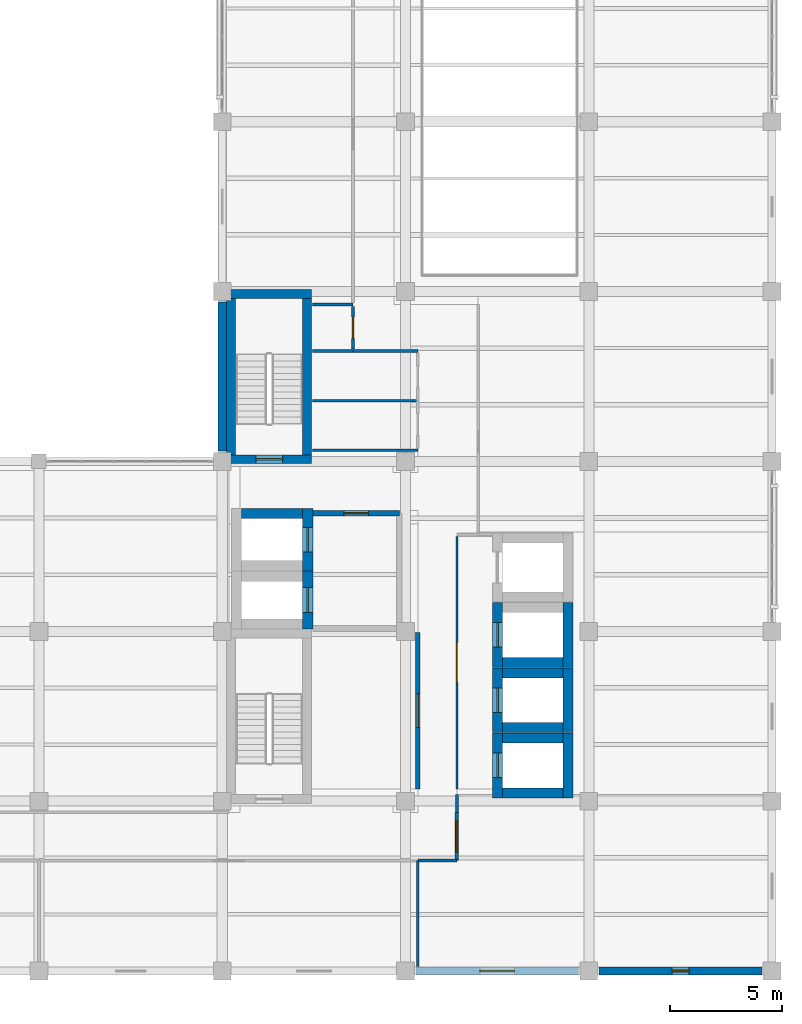
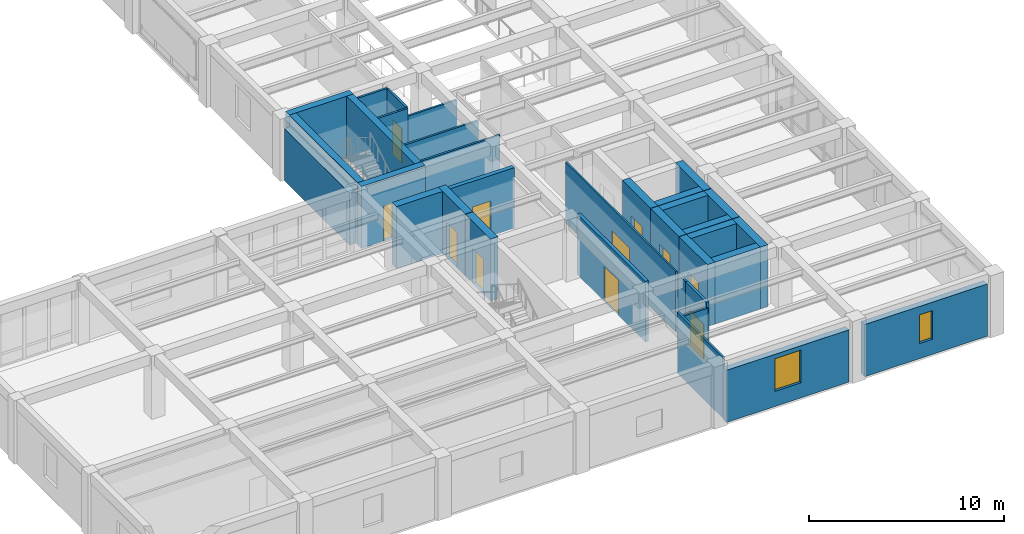
# One storey, part 8 of 15: 34 walls, 11 doors, 2 windows, 13 openings.
"""IFC4 building model written with IfcOpenShell, lengths in metres."""

from ifc_helpers import new_model, si_unit, direction, frame, frame_2d, origin, place, context, subcontext, project, spatial, rectangle, extrude, material, layer, layer_set, type_object, element, fill, save


model = new_model("IFC4")

# Units and contexts
model_context = context("Model", 3, precision=1e-05, world=origin(), true_north=direction((0.0, 1.0)))
body_context = subcontext(model_context, "Body", "Model", "MODEL_VIEW")
ifc_project = project(units=[si_unit("LENGTHUNIT", "METRE"), si_unit("AREAUNIT", "SQUARE_METRE"), si_unit("VOLUMEUNIT", "CUBIC_METRE"), si_unit("PLANEANGLEUNIT", "RADIAN"), si_unit("MASSUNIT", "GRAM", prefix="KILO")], contexts=[model_context])

# Site, building, storey
site_placement = place(None, origin())
site = spatial("IfcSite", under=ifc_project, at=site_placement, CompositionType="ELEMENT")
building_placement = place(site_placement, origin())
building = spatial("IfcBuilding", under=site, at=building_placement, Name="Qandaris Square Conservatory and Botanical Centre", CompositionType="ELEMENT")
storey_placement = place(building_placement, frame((0.0, 0.0, 32.39990234375)))
storey = spatial("IfcBuildingStorey", under=building, at=storey_placement, Name="L07", CompositionType="ELEMENT", Elevation=32.39990234375)

# Wall, opening, door
ifc_material_1 = material(Name="Gypsum Plasterboard", Category="gypsum")
ifc_layer_1 = layer(ifc_material_1, 0.14990234375)
ifc_layer_set_1 = layer_set([ifc_layer_1], Name="Gypsum Plasterboard")
wall_type_1 = type_object("IfcWallType", Name="Acoustic Laboratory Partition 150mm", PredefinedType="PARTITIONING", material=ifc_layer_set_1)
wall_1_placement = place(storey_placement, frame((149.699951171875, 23.699951171875, 0.0), z_axis=(0.0, 0.0, 1.0), x_axis=(0.0, -1.0, 0.0)))
wall_1 = element("IfcWall", 1, at=wall_1_placement, inside=storey, type_object=wall_type_1, Name="Interior Partition IW-L07-0279", PredefinedType="PARTITIONING", context=body_context, shape_type="SweptSolid", body=[
    extrude(rectangle(XDim=2.14990234375, YDim=0.14990234375, at=frame_2d((1.074951171875, 0.0))), origin(), (0.0, 0.0, 1.0), 3.80517578125),
])
opening_1_placement = place(wall_1_placement, frame((0.375, 0.0, 0.0)))
opening_1 = element("IfcOpeningElement", 2, at=opening_1_placement, cuts=wall_1, Name="Opening D-LAB1", PredefinedType="OPENING", context=body_context, shape_type="SweptSolid", body=[
    extrude(rectangle(XDim=1.39990234375, YDim=2.199951171875, at=frame_2d((0.699951171875, 1.10009765625))), frame((0.0, 0.0869140625, 0.0), z_axis=(0.0, -1.0, 0.0), x_axis=(1.0, 0.0, 0.0)), (0.0, 0.0, 1.0), 0.173828125),
])
ifc_material_2 = material(Name="Engineered Oak Timber", Category="wood")
door_type_1 = type_object("IfcDoorType", Name="Research Laboratory Leaf-and-Half Door 1400x2200", OperationType="DOUBLE_DOOR_SINGLE_SWING", PredefinedType="DOOR", material=ifc_material_2)
door_1_placement = place(opening_1_placement, frame((1.39990234375, 0.0, 0.0), z_axis=(0.0, 0.0, 1.0), x_axis=(-1.0, 0.0, 0.0)))
door_1 = element("IfcDoor", 3, at=door_1_placement, inside=storey, type_object=door_type_1, Name="DR-0249 Floor L07 Instrument and Balance Room Door", OperationType="DOUBLE_DOOR_SINGLE_SWING", OverallHeight=2.199951171875, OverallWidth=1.39990234375, PredefinedType="DOOR", context=body_context, shape_type="SweptSolid", body=[
    extrude(rectangle(XDim=1.39990234375, YDim=2.199951171875, at=frame_2d((0.699951171875, 1.10009765625))), frame((0.0, 0.02490234375, 0.0), z_axis=(0.0, -1.0, 0.0), x_axis=(1.0, 0.0, 0.0)), (0.0, 0.0, 1.0), 0.050048828125),
])
fill(opening_1, door_1)

# Wall, opening, window
ifc_material_3 = material(Name="Precast concrete C40/50", Category="concrete")
ifc_layer_2 = layer(ifc_material_3, 0.360107421875)
ifc_layer_set_2 = layer_set([ifc_layer_2], Name="Precast concrete C40/50")
wall_type_2 = type_object("IfcWallType", Name="Architectural Precast Cladding Wall 360mm", PredefinedType="SOLIDWALL", material=ifc_layer_set_2)
wall_2_placement = place(storey_placement, frame((147.860107421875, 16.60009765625, 0.0), z_axis=(0.0, 0.0, 1.0), x_axis=(1.0, 0.0, 0.0)))
wall_2 = element("IfcWall", 4, at=wall_2_placement, inside=storey, type_object=wall_type_2, Name="Exterior Wall EW-TWR-L07-1-5", PredefinedType="SOLIDWALL", context=body_context, shape_type="SweptSolid", body=[
    extrude(rectangle(XDim=7.27978515625, YDim=0.360107421875, at=frame_2d((3.639892578125, 0.0))), origin(), (0.0, 0.0, 1.0), 3.275146484375),
])
opening_2_placement = place(wall_2_placement, frame((2.864990234375, 0.0, 0.949951171875)))
opening_2 = element("IfcOpeningElement", 5, at=opening_2_placement, cuts=wall_2, Name="Opening WN-28", PredefinedType="OPENING", context=body_context, shape_type="SweptSolid", body=[
    extrude(rectangle(XDim=1.550048828125, YDim=2.050048828125, at=frame_2d((0.77490234375, 1.02490234375))), frame((0.0, 0.19189453125, 0.0), z_axis=(0.0, -1.0, 0.0), x_axis=(1.0, 0.0, 0.0)), (0.0, 0.0, 1.0), 0.384033203125),
])
ifc_material_4 = material(Name="Tempered Low-E Glass", Category="glass")
window_type_1 = type_object("IfcWindowType", Name="Solar Control Window 1550x2050", PartitioningType="DOUBLE_PANEL_VERTICAL", PredefinedType="WINDOW", material=ifc_material_4)
window_1_placement = place(opening_2_placement, origin())
window_1 = element("IfcWindow", 6, at=window_1_placement, inside=storey, type_object=window_type_1, Name="Window EW-TWR-L07-1-5", OverallHeight=2.050048828125, OverallWidth=1.550048828125, PartitioningType="DOUBLE_PANEL_VERTICAL", PredefinedType="WINDOW", context=body_context, shape_type="SweptSolid", body=[
    extrude(rectangle(XDim=1.550048828125, YDim=2.050048828125, at=frame_2d((0.77490234375, 1.02490234375))), frame((0.0, 0.030029296875, 0.0), z_axis=(0.0, -1.0, 0.0), x_axis=(1.0, 0.0, 0.0)), (0.0, 0.0, 1.0), 0.06005859375),
])
fill(opening_2, window_1)

wall_3_placement = place(storey_placement, frame((156.06005859375, 16.60009765625, 0.0), z_axis=(0.0, 0.0, 1.0), x_axis=(1.0, 0.0, 0.0)))
wall_3 = element("IfcWall", 7, at=wall_3_placement, inside=storey, type_object=wall_type_2, Name="Exterior Wall EW-TWR-L07-1-6", PredefinedType="SOLIDWALL", context=body_context, shape_type="SweptSolid", body=[
    extrude(rectangle(XDim=7.280029296875, YDim=0.360107421875, at=frame_2d((3.64013671875, 0.0))), origin(), (0.0, 0.0, 1.0), 3.275146484375),
])
opening_3_placement = place(wall_3_placement, frame((3.264892578125, 0.0, 0.949951171875)))
opening_3 = element("IfcOpeningElement", 8, at=opening_3_placement, cuts=wall_3, Name="Opening WN-03", PredefinedType="OPENING", context=body_context, shape_type="SweptSolid", body=[
    extrude(rectangle(XDim=0.75, YDim=1.800048828125, at=frame_2d((0.375, 0.89990234375))), frame((0.0, 0.19189453125, 0.0), z_axis=(0.0, -1.0, 0.0), x_axis=(1.0, 0.0, 0.0)), (0.0, 0.0, 1.0), 0.384033203125),
])
window_type_2 = type_object("IfcWindowType", Name="Herbarium UV-Filtered Slot Window 750x1800", PartitioningType="SINGLE_PANEL", PredefinedType="WINDOW", material=ifc_material_4)
window_2_placement = place(opening_3_placement, origin())
window_2 = element("IfcWindow", 9, at=window_2_placement, inside=storey, type_object=window_type_2, Name="Window EW-TWR-L07-1-6", OverallHeight=1.800048828125, OverallWidth=0.75, PartitioningType="SINGLE_PANEL", PredefinedType="WINDOW", context=body_context, shape_type="SweptSolid", body=[
    extrude(rectangle(XDim=0.75, YDim=1.800048828125, at=frame_2d((0.375, 0.89990234375))), frame((0.0, 0.030029296875, 0.0), z_axis=(0.0, -1.0, 0.0), x_axis=(1.0, 0.0, 0.0)), (0.0, 0.0, 1.0), 0.06005859375),
])
fill(opening_3, window_2)

# Wall
wall_4_placement = place(storey_placement, frame((139.199951171875, 46.5400390625, 0.0), z_axis=(0.0, 0.0, 1.0), x_axis=(0.0, -1.0, 0.0)))
element("IfcWall", 10, at=wall_4_placement, inside=storey, type_object=wall_type_2, Name="Exterior Wall EW-TWR-L07-4-5", PredefinedType="SOLIDWALL", context=body_context, shape_type="SweptSolid", body=[
    extrude(rectangle(XDim=6.679931640625, YDim=0.360107421875, at=frame_2d((3.33984375, 0.0))), origin(), (0.0, 0.0, 1.0), 3.275146484375),
])

# Wall, opening, door
ifc_material_5 = material(Name="Concrete C40/50", Category="concrete")
ifc_layer_3 = layer(ifc_material_5, 0.25)
ifc_layer_set_3 = layer_set([ifc_layer_3], Name="Concrete C40/50")
wall_type_3 = type_object("IfcWallType", Name="Firefighting Lobby Compartment Wall 250mm", PredefinedType="SOLIDWALL", material=ifc_layer_set_3)
wall_5_placement = place(storey_placement, frame((143.25, 37.074951171875, 0.0), z_axis=(0.0, 0.0, 1.0), x_axis=(1.0, 0.0, 0.0)))
wall_5 = element("IfcWall", 11, at=wall_5_placement, inside=storey, type_object=wall_type_3, Name="Firefighting Lobby Wall North (L07)", PredefinedType="SOLIDWALL", context=body_context, shape_type="SweptSolid", body=[
    extrude(rectangle(XDim=3.875, YDim=0.25, at=frame_2d((1.9375, 0.0))), origin(), (0.0, 0.0, 1.0), 3.80517578125),
])
opening_4_placement = place(wall_5_placement, frame((1.387451171875, 0.0, 0.0)))
opening_4 = element("IfcOpeningElement", 12, at=opening_4_placement, cuts=wall_5, Name="Opening D-FFL", PredefinedType="OPENING", context=body_context, shape_type="SweptSolid", body=[
    extrude(rectangle(XDim=1.10009765625, YDim=2.199951171875, at=frame_2d((0.550048828125, 1.10009765625))), frame((0.0, 0.136962890625, 0.0), z_axis=(0.0, -1.0, 0.0), x_axis=(1.0, 0.0, 0.0)), (0.0, 0.0, 1.0), 0.27392578125),
])
ifc_material_6 = material(Name="Steel S355", Category="steel")
door_type_2 = type_object("IfcDoorType", Name="Firefighting Lobby Smoke-Seal Door 1100x2200", OperationType="NOTDEFINED", PredefinedType="DOOR", material=ifc_material_6)
door_2_placement = place(opening_4_placement, origin())
door_2 = element("IfcDoor", 13, at=door_2_placement, inside=storey, type_object=door_type_2, Name="DR-0245 Firefighting Lobby Door (L07)", OperationType="SINGLE_SWING_RIGHT", OverallHeight=2.199951171875, OverallWidth=1.10009765625, PredefinedType="DOOR", context=body_context, shape_type="SweptSolid", body=[
    extrude(rectangle(XDim=1.10009765625, YDim=2.199951171875, at=frame_2d((0.550048828125, 1.10009765625))), frame((0.0, 0.02490234375, 0.0), z_axis=(0.0, -1.0, 0.0), x_axis=(1.0, 0.0, 0.0)), (0.0, 0.0, 1.0), 0.050048828125),
])
fill(opening_4, door_2)

ifc_layer_4 = layer(ifc_material_4, 0.10009765625)
ifc_layer_set_4 = layer_set([ifc_layer_4], Name="Tempered Low-E Glass")
wall_type_4 = type_object("IfcWallType", Name="Framed Acoustic Glazed Gallery Screen 100mm", PredefinedType="PARTITIONING", material=ifc_layer_set_4)
wall_6_placement = place(storey_placement, frame((149.699951171875, 24.75, 0.0), z_axis=(0.0, 0.0, 1.0), x_axis=(0.0, 1.0, 0.0)))
wall_6 = element("IfcWall", 14, at=wall_6_placement, inside=storey, type_object=wall_type_4, Name="Interior Partition IW-L07-0267", PredefinedType="PARTITIONING", context=body_context, shape_type="SweptSolid", body=[
    extrude(rectangle(XDim=11.300048828125, YDim=0.10009765625, at=frame_2d((5.64990234375, 0.0))), origin(), (0.0, 0.0, 1.0), 3.80517578125),
])
opening_5_placement = place(wall_6_placement, frame((4.75, 0.0, 0.0)))
opening_5 = element("IfcOpeningElement", 15, at=opening_5_placement, cuts=wall_6, Name="Opening D-GL1", PredefinedType="OPENING", context=body_context, shape_type="SweptSolid", body=[
    extrude(rectangle(XDim=1.800048828125, YDim=2.39990234375, at=frame_2d((0.89990234375, 1.199951171875))), frame((0.0, 0.06201171875, 0.0), z_axis=(0.0, -1.0, 0.0), x_axis=(1.0, 0.0, 0.0)), (0.0, 0.0, 1.0), 0.1240234375),
])
ifc_material_7 = material(Name="Anodised Aluminium", Category="aluminium")
door_type_3 = type_object("IfcDoorType", Name="Visitor Gallery Glazed Double Door 1800x2400", OperationType="DOUBLE_DOOR_SINGLE_SWING", PredefinedType="DOOR", material=ifc_material_7)
door_3_placement = place(opening_5_placement, frame((1.800048828125, 0.0, 0.0), z_axis=(0.0, 0.0, 1.0), x_axis=(-1.0, 0.0, 0.0)))
door_3 = element("IfcDoor", 16, at=door_3_placement, inside=storey, type_object=door_type_3, Name="DR-0246 Main Circulation Corridor L07 Door", OperationType="DOUBLE_DOOR_SINGLE_SWING", OverallHeight=2.39990234375, OverallWidth=1.800048828125, PredefinedType="DOOR", context=body_context, shape_type="SweptSolid", body=[
    extrude(rectangle(XDim=1.800048828125, YDim=2.39990234375, at=frame_2d((0.89990234375, 1.199951171875))), frame((0.0, 0.02490234375, 0.0), z_axis=(0.0, -1.0, 0.0), x_axis=(1.0, 0.0, 0.0)), (0.0, 0.0, 1.0), 0.050048828125),
])
fill(opening_5, door_3)

ifc_layer_5 = layer(ifc_material_5, 0.199951171875)
ifc_layer_set_5 = layer_set([ifc_layer_5], Name="Concrete C40/50")
wall_type_5 = type_object("IfcWallType", Name="Herbarium & Plant Compartment Wall 200mm", PredefinedType="PARTITIONING", material=ifc_layer_set_5)
wall_7_placement = place(storey_placement, frame((147.949951171875, 31.75, 0.0), z_axis=(0.0, 0.0, 1.0), x_axis=(0.0, -1.0, 0.0)))
wall_7 = element("IfcWall", 17, at=wall_7_placement, inside=storey, type_object=wall_type_5, Name="Interior Partition IW-L07-0266", PredefinedType="PARTITIONING", context=body_context, shape_type="SweptSolid", body=[
    extrude(rectangle(XDim=7.0, YDim=0.199951171875, at=frame_2d((3.5, 0.0))), origin(), (0.0, 0.0, 1.0), 3.80517578125),
])
opening_6_placement = place(wall_7_placement, frame((2.75, 0.0, 0.0)))
opening_6 = element("IfcOpeningElement", 18, at=opening_6_placement, cuts=wall_7, Name="Opening D-PLT1", PredefinedType="OPENING", context=body_context, shape_type="SweptSolid", body=[
    extrude(rectangle(XDim=1.5, YDim=2.199951171875, at=frame_2d((0.75, 1.10009765625))), frame((0.0, 0.11181640625, 0.0), z_axis=(0.0, -1.0, 0.0), x_axis=(1.0, 0.0, 0.0)), (0.0, 0.0, 1.0), 0.223876953125),
])
door_type_4 = type_object("IfcDoorType", Name="Plant & Riser Double Fire Door 1500x2200", OperationType="DOUBLE_DOOR_SINGLE_SWING", PredefinedType="DOOR", material=ifc_material_6)
door_4_placement = place(opening_6_placement, origin())
door_4 = element("IfcDoor", 19, at=door_4_placement, inside=storey, type_object=door_type_4, Name="DR-0255 Electrical and Telecom Riser Room L07 Door", OperationType="DOUBLE_DOOR_SINGLE_SWING", OverallHeight=2.199951171875, OverallWidth=1.5, PredefinedType="DOOR", context=body_context, shape_type="SweptSolid", body=[
    extrude(rectangle(XDim=1.5, YDim=2.199951171875, at=frame_2d((0.75, 1.10009765625))), frame((0.0, 0.02490234375, 0.0), z_axis=(0.0, -1.0, 0.0), x_axis=(1.0, 0.0, 0.0)), (0.0, 0.0, 1.0), 0.050048828125),
])
fill(opening_6, door_4)

ifc_material_8 = material(Name="Concrete C50/60", Category="concrete")
ifc_layer_6 = layer(ifc_material_8, 0.449951171875)
ifc_layer_set_6 = layer_set([ifc_layer_6], Name="Concrete C50/60")
wall_type_6 = type_object("IfcWallType", Name="RC Coupled Core Shear Wall 450mm", PredefinedType="SHEAR", material=ifc_layer_set_6)
wall_8_placement = place(storey_placement, frame((143.02490234375, 31.909912109375, 0.0), z_axis=(0.0, 0.0, 1.0), x_axis=(0.0, 1.0, 0.0)))
wall_8 = element("IfcWall", 20, at=wall_8_placement, inside=storey, type_object=wall_type_6, Name="Lift FFL1 Shaft Wall East (L07)", PredefinedType="SHEAR", context=body_context, shape_type="SweptSolid", body=[
    extrude(rectangle(XDim=2.580078125, YDim=0.449951171875, at=frame_2d((1.2900390625, 0.0))), origin(), (0.0, 0.0, 1.0), 3.89013671875),
])
opening_7_placement = place(wall_8_placement, frame((0.739990234375, 0.0, 0.0)))
opening_7 = element("IfcOpeningElement", 21, at=opening_7_placement, cuts=wall_8, Name="Opening LD-FFL", PredefinedType="OPENING", context=body_context, shape_type="SweptSolid", body=[
    extrude(rectangle(XDim=1.10009765625, YDim=2.199951171875, at=frame_2d((0.550048828125, 1.10009765625))), frame((0.0, 0.23681640625, 0.0), z_axis=(0.0, -1.0, 0.0), x_axis=(1.0, 0.0, 0.0)), (0.0, 0.0, 1.0), 0.473876953125),
])
door_type_5 = type_object("IfcDoorType", Name="Firefighting Lift Sliding Landing Door 1100x2200", OperationType="DOUBLE_DOOR_SLIDING", PredefinedType="DOOR", material=ifc_material_6)
door_5_placement = place(opening_7_placement, origin())
door_5 = element("IfcDoor", 22, at=door_5_placement, inside=storey, type_object=door_type_5, Name="DR-0262 Lift FFL1 Landing Door (L07)", OperationType="DOUBLE_DOOR_SLIDING", OverallHeight=2.199951171875, OverallWidth=1.10009765625, PredefinedType="DOOR", context=body_context, shape_type="SweptSolid", body=[
    extrude(rectangle(XDim=1.10009765625, YDim=2.199951171875, at=frame_2d((0.550048828125, 1.10009765625))), frame((0.0, 0.02490234375, 0.0), z_axis=(0.0, -1.0, 0.0), x_axis=(1.0, 0.0, 0.0)), (0.0, 0.0, 1.0), 0.050048828125),
])
fill(opening_7, door_5)

# Wall
wall_9_placement = place(storey_placement, frame((140.06005859375, 37.06494140625, 0.0), z_axis=(0.0, 0.0, 1.0), x_axis=(1.0, 0.0, 0.0)))
element("IfcWall", 23, at=wall_9_placement, inside=storey, type_object=wall_type_6, Name="Lift FFL2 Shaft Wall North (L07)", PredefinedType="SHEAR", context=body_context, shape_type="SweptSolid", body=[
    extrude(rectangle(XDim=2.739990234375, YDim=0.449951171875, at=frame_2d((1.3701171875, 0.0))), origin(), (0.0, 0.0, 1.0), 3.89013671875),
])

# Wall, opening, door
wall_10_placement = place(storey_placement, frame((143.02490234375, 34.510009765625, 0.0), z_axis=(0.0, 0.0, 1.0), x_axis=(0.0, 1.0, 0.0)))
wall_10 = element("IfcWall", 24, at=wall_10_placement, inside=storey, type_object=wall_type_6, Name="Lift FFL2 Shaft Wall East (L07)", PredefinedType="SHEAR", context=body_context, shape_type="SweptSolid", body=[
    extrude(rectangle(XDim=2.780029296875, YDim=0.449951171875, at=frame_2d((1.39013671875, 0.0))), origin(), (0.0, 0.0, 1.0), 3.89013671875),
])
opening_8_placement = place(wall_10_placement, frame((0.840087890625, 0.0, 0.0)))
opening_8 = element("IfcOpeningElement", 25, at=opening_8_placement, cuts=wall_10, Name="Opening LD-FFL", PredefinedType="OPENING", context=body_context, shape_type="SweptSolid", body=[
    extrude(rectangle(XDim=1.10009765625, YDim=2.199951171875, at=frame_2d((0.550048828125, 1.10009765625))), frame((0.0, 0.23681640625, 0.0), z_axis=(0.0, -1.0, 0.0), x_axis=(1.0, 0.0, 0.0)), (0.0, 0.0, 1.0), 0.473876953125),
])
door_6_placement = place(opening_8_placement, origin())
door_6 = element("IfcDoor", 26, at=door_6_placement, inside=storey, type_object=door_type_5, Name="DR-0263 Lift FFL2 Landing Door (L07)", OperationType="DOUBLE_DOOR_SLIDING", OverallHeight=2.199951171875, OverallWidth=1.10009765625, PredefinedType="DOOR", context=body_context, shape_type="SweptSolid", body=[
    extrude(rectangle(XDim=1.10009765625, YDim=2.199951171875, at=frame_2d((0.550048828125, 1.10009765625))), frame((0.0, 0.02490234375, 0.0), z_axis=(0.0, -1.0, 0.0), x_axis=(1.0, 0.0, 0.0)), (0.0, 0.0, 1.0), 0.050048828125),
])
fill(opening_8, door_6)

# Walls
for number, where, z_axis, x_axis, name in (
    (27, (151.75, 24.574951171875, 0.0), (0.0, 0.0, 1.0), (1.0, 0.0, 0.0), "Lift PL1 Shaft Wall South (L07)"),
    (28, (151.75, 27.02490234375, 0.0), (0.0, 0.0, 1.0), (1.0, 0.0, 0.0), "Lift PL1 Shaft Wall North (L07)"),
):
    element("IfcWall", number, at=place(storey_placement, frame(where, z_axis=z_axis, x_axis=x_axis)), inside=storey, type_object=wall_type_6, Name=name, PredefinedType="SHEAR", context=body_context, shape_type="SweptSolid", body=[
        extrude(rectangle(XDim=2.699951171875, YDim=0.449951171875, at=frame_2d((1.35009765625, 0.0))), origin(), (0.0, 0.0, 1.0), 3.89013671875),
    ])

# Wall, opening, door
wall_11_placement = place(storey_placement, frame((151.52490234375, 24.35009765625, 0.0), z_axis=(0.0, 0.0, 1.0), x_axis=(0.0, 1.0, 0.0)))
wall_11 = element("IfcWall", 29, at=wall_11_placement, inside=storey, type_object=wall_type_6, Name="Lift PL1 Shaft Wall West (L07)", PredefinedType="SHEAR", context=body_context, shape_type="SweptSolid", body=[
    extrude(rectangle(XDim=2.89990234375, YDim=0.449951171875, at=frame_2d((1.449951171875, 0.0))), origin(), (0.0, 0.0, 1.0), 3.89013671875),
])
opening_9_placement = place(wall_11_placement, frame((0.89990234375, 0.0, 0.0)))
opening_9 = element("IfcOpeningElement", 30, at=opening_9_placement, cuts=wall_11, Name="Opening LD-PAX", PredefinedType="OPENING", context=body_context, shape_type="SweptSolid", body=[
    extrude(rectangle(XDim=1.10009765625, YDim=2.199951171875, at=frame_2d((0.550048828125, 1.10009765625))), frame((0.0, 0.23681640625, 0.0), z_axis=(0.0, -1.0, 0.0), x_axis=(1.0, 0.0, 0.0)), (0.0, 0.0, 1.0), 0.473876953125),
])
door_type_6 = type_object("IfcDoorType", Name="Passenger Lift Sliding Landing Door 1100x2200", OperationType="DOUBLE_DOOR_SLIDING", PredefinedType="DOOR", material=ifc_material_7)
door_7_placement = place(opening_9_placement, origin())
door_7 = element("IfcDoor", 31, at=door_7_placement, inside=storey, type_object=door_type_6, Name="DR-0265 Lift PL1 Landing Door (L07)", OperationType="DOUBLE_DOOR_SLIDING", OverallHeight=2.199951171875, OverallWidth=1.10009765625, PredefinedType="DOOR", context=body_context, shape_type="SweptSolid", body=[
    extrude(rectangle(XDim=1.10009765625, YDim=2.199951171875, at=frame_2d((0.550048828125, 1.10009765625))), frame((0.0, 0.02490234375, 0.0), z_axis=(0.0, -1.0, 0.0), x_axis=(1.0, 0.0, 0.0)), (0.0, 0.0, 1.0), 0.050048828125),
])
fill(opening_9, door_7)

# Walls
wall_12_placement = place(storey_placement, frame((154.675048828125, 24.35009765625, 0.0), z_axis=(0.0, 0.0, 1.0), x_axis=(0.0, 1.0, 0.0)))
element("IfcWall", 32, at=wall_12_placement, inside=storey, type_object=wall_type_6, Name="Lift PL1 Shaft Wall East (L07)", PredefinedType="SHEAR", context=body_context, shape_type="SweptSolid", body=[
    extrude(rectangle(XDim=2.89990234375, YDim=0.449951171875, at=frame_2d((1.449951171875, 0.0))), origin(), (0.0, 0.0, 1.0), 3.89013671875),
])
for number, where, z_axis, x_axis, name in (
    (33, (151.75, 27.4951171875, 0.0), (0.0, 0.0, 1.0), (1.0, 0.0, 0.0), "Lift PL2 Shaft Wall South (L07)"),
    (34, (151.75, 29.945068359375, 0.0), (0.0, 0.0, 1.0), (1.0, 0.0, 0.0), "Lift PL2 Shaft Wall North (L07)"),
):
    element("IfcWall", number, at=place(storey_placement, frame(where, z_axis=z_axis, x_axis=x_axis)), inside=storey, type_object=wall_type_6, Name=name, PredefinedType="SHEAR", context=body_context, shape_type="SweptSolid", body=[
        extrude(rectangle(XDim=2.699951171875, YDim=0.449951171875, at=frame_2d((1.35009765625, 0.0))), origin(), (0.0, 0.0, 1.0), 3.89013671875),
    ])

# Wall, opening, door
wall_13_placement = place(storey_placement, frame((151.52490234375, 27.27001953125, 0.0), z_axis=(0.0, 0.0, 1.0), x_axis=(0.0, 1.0, 0.0)))
wall_13 = element("IfcWall", 35, at=wall_13_placement, inside=storey, type_object=wall_type_6, Name="Lift PL2 Shaft Wall West (L07)", PredefinedType="SHEAR", context=body_context, shape_type="SweptSolid", body=[
    extrude(rectangle(XDim=2.89990234375, YDim=0.449951171875, at=frame_2d((1.449951171875, 0.0))), origin(), (0.0, 0.0, 1.0), 3.89013671875),
])
opening_10_placement = place(wall_13_placement, frame((0.89990234375, 0.0, 0.0)))
opening_10 = element("IfcOpeningElement", 36, at=opening_10_placement, cuts=wall_13, Name="Opening LD-PAX", PredefinedType="OPENING", context=body_context, shape_type="SweptSolid", body=[
    extrude(rectangle(XDim=1.10009765625, YDim=2.199951171875, at=frame_2d((0.550048828125, 1.10009765625))), frame((0.0, 0.23681640625, 0.0), z_axis=(0.0, -1.0, 0.0), x_axis=(1.0, 0.0, 0.0)), (0.0, 0.0, 1.0), 0.473876953125),
])
door_8_placement = place(opening_10_placement, origin())
door_8 = element("IfcDoor", 37, at=door_8_placement, inside=storey, type_object=door_type_6, Name="DR-0266 Lift PL2 Landing Door (L07)", OperationType="DOUBLE_DOOR_SLIDING", OverallHeight=2.199951171875, OverallWidth=1.10009765625, PredefinedType="DOOR", context=body_context, shape_type="SweptSolid", body=[
    extrude(rectangle(XDim=1.10009765625, YDim=2.199951171875, at=frame_2d((0.550048828125, 1.10009765625))), frame((0.0, 0.02490234375, 0.0), z_axis=(0.0, -1.0, 0.0), x_axis=(1.0, 0.0, 0.0)), (0.0, 0.0, 1.0), 0.050048828125),
])
fill(opening_10, door_8)

# Walls
wall_14_placement = place(storey_placement, frame((154.675048828125, 27.27001953125, 0.0), z_axis=(0.0, 0.0, 1.0), x_axis=(0.0, 1.0, 0.0)))
element("IfcWall", 38, at=wall_14_placement, inside=storey, type_object=wall_type_6, Name="Lift PL2 Shaft Wall East (L07)", PredefinedType="SHEAR", context=body_context, shape_type="SweptSolid", body=[
    extrude(rectangle(XDim=2.89990234375, YDim=0.449951171875, at=frame_2d((1.449951171875, 0.0))), origin(), (0.0, 0.0, 1.0), 3.89013671875),
])
wall_15_placement = place(storey_placement, frame((151.75, 30.4150390625, 0.0), z_axis=(0.0, 0.0, 1.0), x_axis=(1.0, 0.0, 0.0)))
element("IfcWall", 39, at=wall_15_placement, inside=storey, type_object=wall_type_6, Name="Lift PL3 Shaft Wall South (L07)", PredefinedType="SHEAR", context=body_context, shape_type="SweptSolid", body=[
    extrude(rectangle(XDim=2.699951171875, YDim=0.449951171875, at=frame_2d((1.35009765625, 0.0))), origin(), (0.0, 0.0, 1.0), 3.89013671875),
])

# Wall, opening, door
wall_16_placement = place(storey_placement, frame((151.52490234375, 30.18994140625, 0.0), z_axis=(0.0, 0.0, 1.0), x_axis=(0.0, 1.0, 0.0)))
wall_16 = element("IfcWall", 40, at=wall_16_placement, inside=storey, type_object=wall_type_6, Name="Lift PL3 Shaft Wall West (L07)", PredefinedType="SHEAR", context=body_context, shape_type="SweptSolid", body=[
    extrude(rectangle(XDim=2.900146484375, YDim=0.449951171875, at=frame_2d((1.4501953125, 0.0))), origin(), (0.0, 0.0, 1.0), 3.89013671875),
])
opening_11_placement = place(wall_16_placement, frame((0.89990234375, 0.0, 0.0)))
opening_11 = element("IfcOpeningElement", 41, at=opening_11_placement, cuts=wall_16, Name="Opening LD-PAX", PredefinedType="OPENING", context=body_context, shape_type="SweptSolid", body=[
    extrude(rectangle(XDim=1.10009765625, YDim=2.199951171875, at=frame_2d((0.550048828125, 1.10009765625))), frame((0.0, 0.23681640625, 0.0), z_axis=(0.0, -1.0, 0.0), x_axis=(1.0, 0.0, 0.0)), (0.0, 0.0, 1.0), 0.473876953125),
])
door_9_placement = place(opening_11_placement, origin())
door_9 = element("IfcDoor", 42, at=door_9_placement, inside=storey, type_object=door_type_6, Name="DR-0267 Lift PL3 Landing Door (L07)", OperationType="DOUBLE_DOOR_SLIDING", OverallHeight=2.199951171875, OverallWidth=1.10009765625, PredefinedType="DOOR", context=body_context, shape_type="SweptSolid", body=[
    extrude(rectangle(XDim=1.10009765625, YDim=2.199951171875, at=frame_2d((0.550048828125, 1.10009765625))), frame((0.0, 0.02490234375, 0.0), z_axis=(0.0, -1.0, 0.0), x_axis=(1.0, 0.0, 0.0)), (0.0, 0.0, 1.0), 0.050048828125),
])
fill(opening_11, door_9)

# Wall
wall_17_placement = place(storey_placement, frame((154.675048828125, 30.18994140625, 0.0), z_axis=(0.0, 0.0, 1.0), x_axis=(0.0, 1.0, 0.0)))
element("IfcWall", 43, at=wall_17_placement, inside=storey, type_object=wall_type_6, Name="Lift PL3 Shaft Wall East (L07)", PredefinedType="SHEAR", context=body_context, shape_type="SweptSolid", body=[
    extrude(rectangle(XDim=2.900146484375, YDim=0.449951171875, at=frame_2d((1.4501953125, 0.0))), origin(), (0.0, 0.0, 1.0), 3.89013671875),
])

# Wall, opening, door
ifc_layer_7 = layer(ifc_material_8, 0.39990234375)
ifc_layer_set_7 = layer_set([ifc_layer_7], Name="Concrete C50/60")
wall_type_7 = type_object("IfcWallType", Name="RC Stair Core Shear Wall 400mm", PredefinedType="SHEAR", material=ifc_layer_set_7)
wall_18_placement = place(storey_placement, frame((139.39990234375, 39.5, 0.0), z_axis=(0.0, 0.0, 1.0), x_axis=(1.0, 0.0, 0.0)))
wall_18 = element("IfcWall", 44, at=wall_18_placement, inside=storey, type_object=wall_type_7, Name="ST-2 Core Shear Wall South (L07)", PredefinedType="SHEAR", context=body_context, shape_type="SweptSolid", body=[
    extrude(rectangle(XDim=3.800048828125, YDim=0.39990234375, at=frame_2d((1.89990234375, 0.0))), origin(), (0.0, 0.0, 1.0), 3.89013671875),
])
opening_12_placement = place(wall_18_placement, frame((1.300048828125, 0.0, 0.0)))
opening_12 = element("IfcOpeningElement", 45, at=opening_12_placement, cuts=wall_18, Name="Opening D-ST1", PredefinedType="OPENING", context=body_context, shape_type="SweptSolid", body=[
    extrude(rectangle(XDim=1.199951171875, YDim=2.199951171875, at=frame_2d((0.60009765625, 1.10009765625))), frame((0.0, 0.2119140625, 0.0), z_axis=(0.0, -1.0, 0.0), x_axis=(1.0, 0.0, 0.0)), (0.0, 0.0, 1.0), 0.423828125),
])
door_type_7 = type_object("IfcDoorType", Name="Exit Stair Core Fire Door 1200x2200", OperationType="NOTDEFINED", PredefinedType="DOOR", material=ifc_material_6)
door_10_placement = place(opening_12_placement, origin())
door_10 = element("IfcDoor", 46, at=door_10_placement, inside=storey, type_object=door_type_7, Name="DR-0257 ST-2 Stair Core Door (L07)", OperationType="SINGLE_SWING_LEFT", OverallHeight=2.199951171875, OverallWidth=1.199951171875, PredefinedType="DOOR", context=body_context, shape_type="SweptSolid", body=[
    extrude(rectangle(XDim=1.199951171875, YDim=2.199951171875, at=frame_2d((0.60009765625, 1.10009765625))), frame((0.0, 0.02490234375, 0.0), z_axis=(0.0, -1.0, 0.0), x_axis=(1.0, 0.0, 0.0)), (0.0, 0.0, 1.0), 0.050048828125),
])
fill(opening_12, door_10)

# Walls
wall_19_placement = place(storey_placement, frame((139.39990234375, 46.89990234375, 0.0), z_axis=(0.0, 0.0, 1.0), x_axis=(1.0, 0.0, 0.0)))
element("IfcWall", 47, at=wall_19_placement, inside=storey, type_object=wall_type_7, Name="ST-2 Core Shear Wall North (L07)", PredefinedType="SHEAR", context=body_context, shape_type="SweptSolid", body=[
    extrude(rectangle(XDim=3.800048828125, YDim=0.39990234375, at=frame_2d((1.89990234375, 0.0))), origin(), (0.0, 0.0, 1.0), 3.89013671875),
])
for number, where, z_axis, x_axis, name in (
    (48, (139.60009765625, 39.699951171875, 0.0), (0.0, 0.0, 1.0), (0.0, 1.0, 0.0), "ST-2 Core Shear Wall West (L07)"),
    (49, (143.0, 39.699951171875, 0.0), (0.0, 0.0, 1.0), (0.0, 1.0, 0.0), "ST-2 Core Shear Wall East (L07)"),
):
    element("IfcWall", number, at=place(storey_placement, frame(where, z_axis=z_axis, x_axis=x_axis)), inside=storey, type_object=wall_type_7, Name=name, PredefinedType="SHEAR", context=body_context, shape_type="SweptSolid", body=[
        extrude(rectangle(XDim=7.0, YDim=0.39990234375, at=frame_2d((3.5, 0.0))), origin(), (0.0, 0.0, 1.0), 3.89013671875),
    ])
ifc_layer_8 = layer(ifc_material_1, 0.1201171875)
ifc_layer_set_8 = layer_set([ifc_layer_8], Name="Gypsum Plasterboard")
wall_type_8 = type_object("IfcWallType", Name="Standard Research Partition 120mm", PredefinedType="PARTITIONING", material=ifc_layer_set_8)
wall_20_placement = place(storey_placement, frame((143.22998046875, 39.89990234375, 0.0), z_axis=(0.0, 0.0, 1.0), x_axis=(1.0, 0.0, 0.0)))
element("IfcWall", 50, at=wall_20_placement, inside=storey, type_object=wall_type_8, Name="Sanitary Toilet Partition Wall WCW-L07-SOUTH1", PredefinedType="PARTITIONING", context=body_context, shape_type="SweptSolid", body=[
    extrude(rectangle(XDim=4.719970703125, YDim=0.1201171875, at=frame_2d((2.35986328125, 0.0))), origin(), (0.0, 0.0, 1.0), 3.80517578125),
])
wall_21_placement = place(storey_placement, frame((143.22998046875, 46.419921875, 0.0), z_axis=(0.0, 0.0, 1.0), x_axis=(1.0, 0.0, 0.0)))
element("IfcWall", 51, at=wall_21_placement, inside=storey, type_object=wall_type_8, Name="Sanitary Toilet Partition Wall WCW-L07-NORTH1", PredefinedType="PARTITIONING", context=body_context, shape_type="SweptSolid", body=[
    extrude(rectangle(XDim=1.820068359375, YDim=0.1201171875, at=frame_2d((0.91015625, 0.0))), origin(), (0.0, 0.0, 1.0), 3.80517578125),
])
wall_22_placement = place(storey_placement, frame((145.050048828125, 44.340087890625, 0.0), z_axis=(0.0, 0.0, 1.0), x_axis=(1.0, 0.0, 0.0)))
element("IfcWall", 52, at=wall_22_placement, inside=storey, type_object=wall_type_8, Name="Sanitary Toilet Partition Wall WCW-L07-STEP1", PredefinedType="PARTITIONING", context=body_context, shape_type="SweptSolid", body=[
    extrude(rectangle(XDim=2.89990234375, YDim=0.1201171875, at=frame_2d((1.449951171875, 0.0))), origin(), (0.0, 0.0, 1.0), 3.315185546875),
])
wall_23_placement = place(storey_placement, frame((143.22998046875, 42.1201171875, 0.0), z_axis=(0.0, 0.0, 1.0), x_axis=(1.0, 0.0, 0.0)))
element("IfcWall", 53, at=wall_23_placement, inside=storey, type_object=wall_type_8, Name="Interior Partition IW-L07-0270", PredefinedType="PARTITIONING", context=body_context, shape_type="SweptSolid", body=[
    extrude(rectangle(XDim=4.719970703125, YDim=0.1201171875, at=frame_2d((2.35986328125, 0.0))), origin(), (0.0, 0.0, 1.0), 3.364990234375),
])
wall_24_placement = place(storey_placement, frame((143.22998046875, 44.340087890625, 0.0), z_axis=(0.0, 0.0, 1.0), x_axis=(1.0, 0.0, 0.0)))
element("IfcWall", 54, at=wall_24_placement, inside=storey, type_object=wall_type_8, Name="Interior Partition IW-L07-0272", PredefinedType="PARTITIONING", context=body_context, shape_type="SweptSolid", body=[
    extrude(rectangle(XDim=1.820068359375, YDim=0.1201171875, at=frame_2d((0.91015625, 0.0))), origin(), (0.0, 0.0, 1.0), 3.80517578125),
])

# Wall, opening, door
wall_25_placement = place(storey_placement, frame((145.050048828125, 46.330078125, 0.0), z_axis=(0.0, 0.0, 1.0), x_axis=(0.0, -1.0, 0.0)))
wall_25 = element("IfcWall", 55, at=wall_25_placement, inside=storey, type_object=wall_type_8, Name="Interior Partition IW-L07-0274", PredefinedType="PARTITIONING", context=body_context, shape_type="SweptSolid", body=[
    extrude(rectangle(XDim=1.900146484375, YDim=0.1201171875, at=frame_2d((0.9501953125, 0.0))), origin(), (0.0, 0.0, 1.0), 3.80517578125),
])
opening_13_placement = place(wall_25_placement, frame((0.47509765625, 0.0, 0.0)))
opening_13 = element("IfcOpeningElement", 56, at=opening_13_placement, cuts=wall_25, Name="Opening D-WC1", PredefinedType="OPENING", context=body_context, shape_type="SweptSolid", body=[
    extrude(rectangle(XDim=0.949951171875, YDim=2.14990234375, at=frame_2d((0.47509765625, 1.074951171875))), frame((0.0, 0.072021484375, 0.0), z_axis=(0.0, -1.0, 0.0), x_axis=(1.0, 0.0, 0.0)), (0.0, 0.0, 1.0), 0.14404296875),
])
door_type_8 = type_object("IfcDoorType", Name="Accessible Sanitary Room Door 950x2150", OperationType="NOTDEFINED", PredefinedType="DOOR", material=ifc_material_2)
door_11_placement = place(opening_13_placement, frame((0.949951171875, 0.0, 0.0), z_axis=(0.0, 0.0, 1.0), x_axis=(-1.0, 0.0, 0.0)))
door_11 = element("IfcDoor", 57, at=door_11_placement, inside=storey, type_object=door_type_8, Name="DR-0261 Staff Female Toilet L07 Door", OperationType="SINGLE_SWING_RIGHT", OverallHeight=2.14990234375, OverallWidth=0.949951171875, PredefinedType="DOOR", context=body_context, shape_type="SweptSolid", body=[
    extrude(rectangle(XDim=0.949951171875, YDim=2.14990234375, at=frame_2d((0.47509765625, 1.074951171875))), frame((0.0, 0.02490234375, 0.0), z_axis=(0.0, -1.0, 0.0), x_axis=(1.0, 0.0, 0.0)), (0.0, 0.0, 1.0), 0.050048828125),
])
fill(opening_13, door_11)

# Walls
wall_26_placement = place(storey_placement, frame((149.699951171875, 24.5, 0.0), z_axis=(0.0, 0.0, 1.0), x_axis=(0.0, -1.0, 0.0)))
element("IfcWall", 58, at=wall_26_placement, inside=storey, type_object=wall_type_8, Name="Interior Partition IW-L07-0278", PredefinedType="PARTITIONING", context=body_context, shape_type="SweptSolid", body=[
    extrude(rectangle(XDim=0.800048828125, YDim=0.1201171875, at=frame_2d((0.39990234375, 0.0))), origin(), (0.0, 0.0, 1.0), 3.80517578125),
])
wall_27_placement = place(storey_placement, frame((149.699951171875, 21.550048828125, 0.0), z_axis=(0.0, 0.0, 1.0), x_axis=(-1.0, 0.0, 0.0)))
element("IfcWall", 59, at=wall_27_placement, inside=storey, type_object=wall_type_8, Name="Interior Partition IW-L07-0280", PredefinedType="PARTITIONING", context=body_context, shape_type="SweptSolid", body=[
    extrude(rectangle(XDim=1.75, YDim=0.1201171875, at=frame_2d((0.875, 0.0))), origin(), (0.0, 0.0, 1.0), 3.465087890625),
])
wall_28_placement = place(storey_placement, frame((147.949951171875, 21.550048828125, 0.0), z_axis=(0.0, 0.0, 1.0), x_axis=(0.0, -1.0, 0.0)))
element("IfcWall", 60, at=wall_28_placement, inside=storey, type_object=wall_type_8, Name="Interior Partition IW-L07-0290", PredefinedType="PARTITIONING", context=body_context, shape_type="SweptSolid", body=[
    extrude(rectangle(XDim=4.739990234375, YDim=0.1201171875, at=frame_2d((2.3701171875, 0.0))), origin(), (0.0, 0.0, 1.0), 3.80517578125),
])

save(model, "model.ifc")
